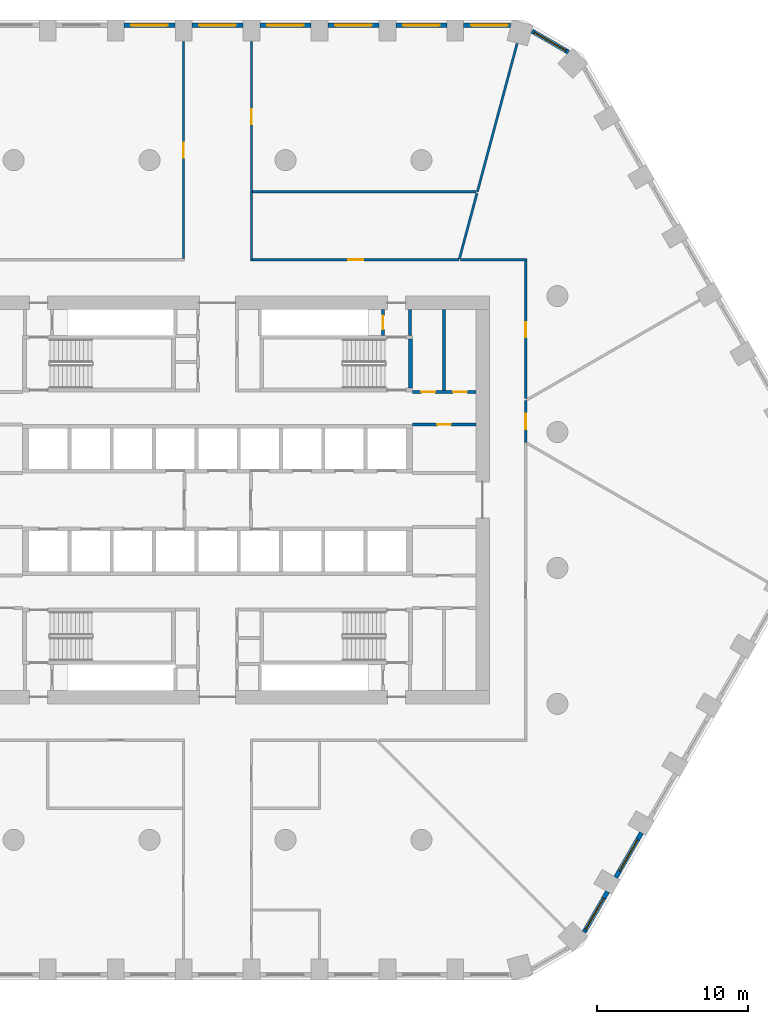
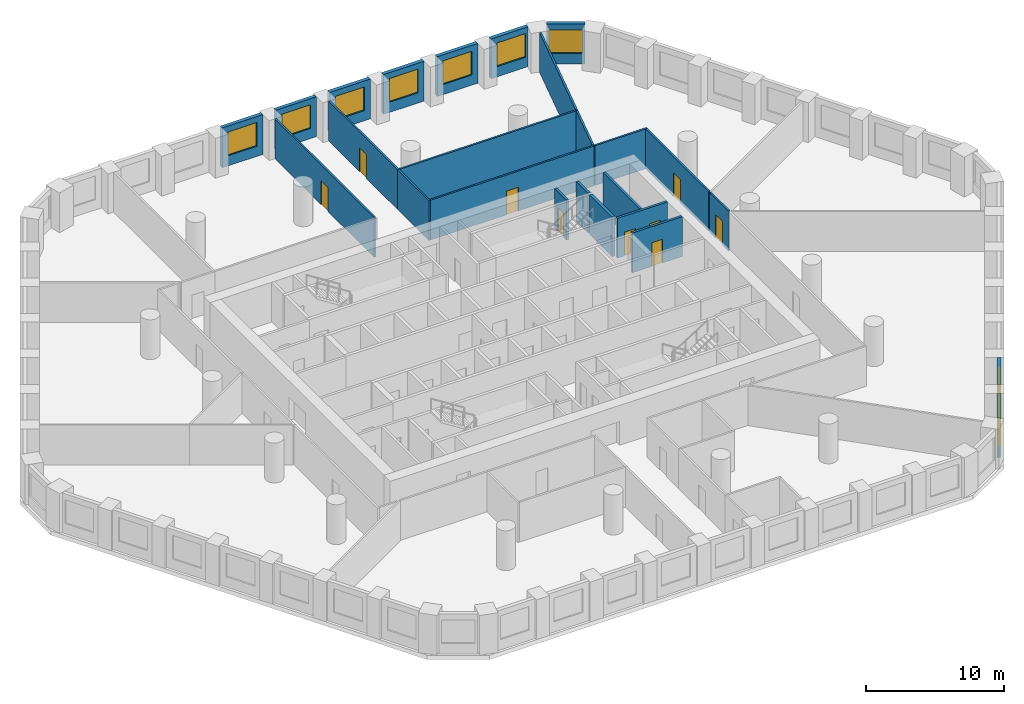
# One storey, part 7 of 10: 25 walls, 9 doors, 9 windows, 18 openings.
"""IFC4 building model written with IfcOpenShell, lengths in metres."""

from ifc_helpers import new_model, si_unit, direction, frame, frame_2d, origin, place, context, subcontext, project, spatial, rectangle, extrude, material, layer, layer_set, type_object, element, fill, save


model = new_model("IFC4")

# Units and contexts
model_context = context("Model", 3, precision=1e-05, world=origin(), true_north=direction((0.0, 1.0)))
body_context = subcontext(model_context, "Body", "Model", "MODEL_VIEW")
ifc_project = project(units=[si_unit("LENGTHUNIT", "METRE"), si_unit("AREAUNIT", "SQUARE_METRE"), si_unit("VOLUMEUNIT", "CUBIC_METRE"), si_unit("PLANEANGLEUNIT", "RADIAN"), si_unit("MASSUNIT", "GRAM", prefix="KILO")], contexts=[model_context])

# Site, building, storey
site_placement = place(None, origin())
site = spatial("IfcSite", under=ifc_project, at=site_placement, CompositionType="ELEMENT")
building_placement = place(site_placement, origin())
building = spatial("IfcBuilding", under=site, at=building_placement, Name="Dhurran Vertical Campus", CompositionType="ELEMENT")
storey_placement = place(building_placement, frame((0.0, 0.0, 41.699951171875)))
storey = spatial("IfcBuildingStorey", under=building, at=storey_placement, Name="L09", CompositionType="ELEMENT", Elevation=41.699951171875)

# Wall, opening, window
ifc_material_1 = material(Name="Precast concrete C50/60", Category="concrete")
ifc_layer_1 = layer(ifc_material_1, 0.300048828125)
ifc_layer_set_1 = layer_set([ifc_layer_1], Name="Precast concrete C50/60")
wall_type_1 = type_object("IfcWallType", Name="Precast spandrel wall 300", PredefinedType="SOLIDWALL", material=ifc_layer_set_1)
wall_1_placement = place(storey_placement, frame((24.2734375, -28.611083984375, 0.0), z_axis=(0.0, 0.0, 1.0), x_axis=(0.499995950774, 0.866027741594, 0.0)))
wall_1 = element("IfcWall", 1, at=wall_1_placement, inside=storey, type_object=wall_type_1, Name="EW1 L09.10", PredefinedType="SOLIDWALL", context=body_context, shape_type="SweptSolid", body=[
    extrude(rectangle(XDim=3.0908203125, YDim=0.300048828125, at=frame_2d((1.54541015625, 0.0))), origin(), (0.0, 0.0, 1.0), 3.525146484375),
])
opening_1_placement = place(wall_1_placement, frame((0.191162109375, 0.0, 0.89990234375)))
opening_1 = element("IfcOpeningElement", 2, at=opening_1_placement, cuts=wall_1, Name="Opening WT1", PredefinedType="OPENING", context=body_context, shape_type="SweptSolid", body=[
    extrude(rectangle(XDim=2.39990234375, YDim=2.10009765625, at=frame_2d((1.199951171875, 1.050048828125))), frame((0.0, 0.159912109375, 0.0), z_axis=(0.0, -1.0, 0.0), x_axis=(1.0, 0.0, 0.0)), (0.0, 0.0, 1.0), 0.320068359375),
])
ifc_material_2 = material(Name="Aluminium frame with solar-control glass", Category="aluminium")
window_type = type_object("IfcWindowType", Name="Punched window 2400 x 2100", PartitioningType="SINGLE_PANEL", PredefinedType="WINDOW", material=ifc_material_2)
window_1_placement = place(opening_1_placement, origin())
window_1 = element("IfcWindow", 3, at=window_1_placement, inside=storey, type_object=window_type, Name="WT1 L09.10", OverallHeight=2.10009765625, OverallWidth=2.39990234375, PartitioningType="SINGLE_PANEL", PredefinedType="WINDOW", context=body_context, shape_type="SweptSolid", body=[
    extrude(rectangle(XDim=2.39990234375, YDim=2.10009765625, at=frame_2d((1.199951171875, 1.050048828125))), frame((0.0, 0.030029296875, 0.0), z_axis=(0.0, -1.0, 0.0), x_axis=(1.0, 0.0, 0.0)), (0.0, 0.0, 1.0), 0.06005859375),
])
fill(opening_1, window_1)

wall_2_placement = place(storey_placement, frame((26.369384765625, -24.98095703125, 0.0), z_axis=(0.0, 0.0, 1.0), x_axis=(0.499993955907, 0.866028893315, 0.0)))
wall_2 = element("IfcWall", 4, at=wall_2_placement, inside=storey, type_object=wall_type_1, Name="EW1 L09.11", PredefinedType="SOLIDWALL", context=body_context, shape_type="SweptSolid", body=[
    extrude(rectangle(XDim=3.39892578125, YDim=0.300048828125, at=frame_2d((1.699462890625, 0.0))), origin(), (0.0, 0.0, 1.0), 3.525146484375),
])
opening_2_placement = place(wall_2_placement, frame((0.49951171875, 0.0, 0.89990234375)))
opening_2 = element("IfcOpeningElement", 5, at=opening_2_placement, cuts=wall_2, Name="Opening WT1", PredefinedType="OPENING", context=body_context, shape_type="SweptSolid", body=[
    extrude(rectangle(XDim=2.39990234375, YDim=2.10009765625, at=frame_2d((1.199951171875, 1.050048828125))), frame((0.0, 0.159912109375, 0.0), z_axis=(0.0, -1.0, 0.0), x_axis=(1.0, 0.0, 0.0)), (0.0, 0.0, 1.0), 0.320068359375),
])
window_2_placement = place(opening_2_placement, origin())
window_2 = element("IfcWindow", 6, at=window_2_placement, inside=storey, type_object=window_type, Name="WT1 L09.11", OverallHeight=2.10009765625, OverallWidth=2.39990234375, PartitioningType="SINGLE_PANEL", PredefinedType="WINDOW", context=body_context, shape_type="SweptSolid", body=[
    extrude(rectangle(XDim=2.39990234375, YDim=2.10009765625, at=frame_2d((1.199951171875, 1.050048828125))), frame((0.0, 0.030029296875, 0.0), z_axis=(0.0, -1.0, 0.0), x_axis=(1.0, 0.0, 0.0)), (0.0, 0.0, 1.0), 0.06005859375),
])
fill(opening_2, window_2)

wall_3_placement = place(storey_placement, frame((23.228271484375, 29.656005859375, 0.0), z_axis=(0.0, 0.0, 1.0), x_axis=(-0.866020456713, 0.500008568482, 0.0)))
wall_3 = element("IfcWall", 7, at=wall_3_placement, inside=storey, type_object=wall_type_1, Name="EW1 L09.25", PredefinedType="SOLIDWALL", context=body_context, shape_type="SweptSolid", body=[
    extrude(rectangle(XDim=2.7822265625, YDim=0.300048828125, at=frame_2d((1.39111328125, 0.0))), origin(), (0.0, 0.0, 1.0), 3.525146484375),
])
opening_3_placement = place(wall_3_placement, frame((0.191162109375, 0.0, 0.89990234375)))
opening_3 = element("IfcOpeningElement", 8, at=opening_3_placement, cuts=wall_3, Name="Opening WT1", PredefinedType="OPENING", context=body_context, shape_type="SweptSolid", body=[
    extrude(rectangle(XDim=2.39990234375, YDim=2.10009765625, at=frame_2d((1.199951171875, 1.050048828125))), frame((0.0, 0.159912109375, 0.0), z_axis=(0.0, -1.0, 0.0), x_axis=(1.0, 0.0, 0.0)), (0.0, 0.0, 1.0), 0.320068359375),
])
window_3_placement = place(opening_3_placement, origin())
window_3 = element("IfcWindow", 9, at=window_3_placement, inside=storey, type_object=window_type, Name="WT1 L09.25", OverallHeight=2.10009765625, OverallWidth=2.39990234375, PartitioningType="SINGLE_PANEL", PredefinedType="WINDOW", context=body_context, shape_type="SweptSolid", body=[
    extrude(rectangle(XDim=2.39990234375, YDim=2.10009765625, at=frame_2d((1.199951171875, 1.050048828125))), frame((0.0, 0.030029296875, 0.0), z_axis=(0.0, -1.0, 0.0), x_axis=(1.0, 0.0, 0.0)), (0.0, 0.0, 1.0), 0.06005859375),
])
fill(opening_3, window_3)

wall_4_placement = place(storey_placement, frame((19.39111328125, 31.4296875, 0.0), z_axis=(0.0, 0.0, 1.0), x_axis=(-1.0, 0.0, 0.0)))
wall_4 = element("IfcWall", 10, at=wall_4_placement, inside=storey, type_object=wall_type_1, Name="EW1 L09.26", PredefinedType="SOLIDWALL", context=body_context, shape_type="SweptSolid", body=[
    extrude(rectangle(XDim=3.090576171875, YDim=0.300048828125, at=frame_2d((1.54541015625, 0.0))), origin(), (0.0, 0.0, 1.0), 3.525146484375),
])
opening_4_placement = place(wall_4_placement, frame((0.191162109375, 0.0, 0.89990234375)))
opening_4 = element("IfcOpeningElement", 11, at=opening_4_placement, cuts=wall_4, Name="Opening WT1", PredefinedType="OPENING", context=body_context, shape_type="SweptSolid", body=[
    extrude(rectangle(XDim=2.39990234375, YDim=2.10009765625, at=frame_2d((1.199951171875, 1.050048828125))), frame((0.0, 0.159912109375, 0.0), z_axis=(0.0, -1.0, 0.0), x_axis=(1.0, 0.0, 0.0)), (0.0, 0.0, 1.0), 0.320068359375),
])
window_4_placement = place(opening_4_placement, origin())
window_4 = element("IfcWindow", 12, at=window_4_placement, inside=storey, type_object=window_type, Name="WT1 L09.26", OverallHeight=2.10009765625, OverallWidth=2.39990234375, PartitioningType="SINGLE_PANEL", PredefinedType="WINDOW", context=body_context, shape_type="SweptSolid", body=[
    extrude(rectangle(XDim=2.39990234375, YDim=2.10009765625, at=frame_2d((1.199951171875, 1.050048828125))), frame((0.0, 0.030029296875, 0.0), z_axis=(0.0, -1.0, 0.0), x_axis=(1.0, 0.0, 0.0)), (0.0, 0.0, 1.0), 0.06005859375),
])
fill(opening_4, window_4)

wall_5_placement = place(storey_placement, frame((15.199462890625, 31.4296875, 0.0), z_axis=(0.0, 0.0, 1.0), x_axis=(-1.0, 0.0, 0.0)))
wall_5 = element("IfcWall", 13, at=wall_5_placement, inside=storey, type_object=wall_type_1, Name="EW1 L09.27", PredefinedType="SOLIDWALL", context=body_context, shape_type="SweptSolid", body=[
    extrude(rectangle(XDim=3.39892578125, YDim=0.300048828125, at=frame_2d((1.699462890625, 0.0))), origin(), (0.0, 0.0, 1.0), 3.525146484375),
])
opening_5_placement = place(wall_5_placement, frame((0.49951171875, 0.0, 0.89990234375)))
opening_5 = element("IfcOpeningElement", 14, at=opening_5_placement, cuts=wall_5, Name="Opening WT1", PredefinedType="OPENING", context=body_context, shape_type="SweptSolid", body=[
    extrude(rectangle(XDim=2.39990234375, YDim=2.10009765625, at=frame_2d((1.199951171875, 1.050048828125))), frame((0.0, 0.159912109375, 0.0), z_axis=(0.0, -1.0, 0.0), x_axis=(1.0, 0.0, 0.0)), (0.0, 0.0, 1.0), 0.320068359375),
])
window_5_placement = place(opening_5_placement, origin())
window_5 = element("IfcWindow", 15, at=window_5_placement, inside=storey, type_object=window_type, Name="WT1 L09.27", OverallHeight=2.10009765625, OverallWidth=2.39990234375, PartitioningType="SINGLE_PANEL", PredefinedType="WINDOW", context=body_context, shape_type="SweptSolid", body=[
    extrude(rectangle(XDim=2.39990234375, YDim=2.10009765625, at=frame_2d((1.199951171875, 1.050048828125))), frame((0.0, 0.030029296875, 0.0), z_axis=(0.0, -1.0, 0.0), x_axis=(1.0, 0.0, 0.0)), (0.0, 0.0, 1.0), 0.06005859375),
])
fill(opening_5, window_5)

wall_6_placement = place(storey_placement, frame((10.699462890625, 31.4296875, 0.0), z_axis=(0.0, 0.0, 1.0), x_axis=(-1.0, 0.0, 0.0)))
wall_6 = element("IfcWall", 16, at=wall_6_placement, inside=storey, type_object=wall_type_1, Name="EW1 L09.28", PredefinedType="SOLIDWALL", context=body_context, shape_type="SweptSolid", body=[
    extrude(rectangle(XDim=3.39892578125, YDim=0.300048828125, at=frame_2d((1.699462890625, 0.0))), origin(), (0.0, 0.0, 1.0), 3.525146484375),
])
opening_6_placement = place(wall_6_placement, frame((0.49951171875, 0.0, 0.89990234375)))
opening_6 = element("IfcOpeningElement", 17, at=opening_6_placement, cuts=wall_6, Name="Opening WT1", PredefinedType="OPENING", context=body_context, shape_type="SweptSolid", body=[
    extrude(rectangle(XDim=2.39990234375, YDim=2.10009765625, at=frame_2d((1.199951171875, 1.050048828125))), frame((0.0, 0.159912109375, 0.0), z_axis=(0.0, -1.0, 0.0), x_axis=(1.0, 0.0, 0.0)), (0.0, 0.0, 1.0), 0.320068359375),
])
window_6_placement = place(opening_6_placement, origin())
window_6 = element("IfcWindow", 18, at=window_6_placement, inside=storey, type_object=window_type, Name="WT1 L09.28", OverallHeight=2.10009765625, OverallWidth=2.39990234375, PartitioningType="SINGLE_PANEL", PredefinedType="WINDOW", context=body_context, shape_type="SweptSolid", body=[
    extrude(rectangle(XDim=2.39990234375, YDim=2.10009765625, at=frame_2d((1.199951171875, 1.050048828125))), frame((0.0, 0.030029296875, 0.0), z_axis=(0.0, -1.0, 0.0), x_axis=(1.0, 0.0, 0.0)), (0.0, 0.0, 1.0), 0.06005859375),
])
fill(opening_6, window_6)

wall_7_placement = place(storey_placement, frame((6.199462890625, 31.4296875, 0.0), z_axis=(0.0, 0.0, 1.0), x_axis=(-1.0, 0.0, 0.0)))
wall_7 = element("IfcWall", 19, at=wall_7_placement, inside=storey, type_object=wall_type_1, Name="EW1 L09.29", PredefinedType="SOLIDWALL", context=body_context, shape_type="SweptSolid", body=[
    extrude(rectangle(XDim=3.39892578125, YDim=0.300048828125, at=frame_2d((1.699462890625, 0.0))), origin(), (0.0, 0.0, 1.0), 3.525146484375),
])
opening_7_placement = place(wall_7_placement, frame((0.49951171875, 0.0, 0.89990234375)))
opening_7 = element("IfcOpeningElement", 20, at=opening_7_placement, cuts=wall_7, Name="Opening WT1", PredefinedType="OPENING", context=body_context, shape_type="SweptSolid", body=[
    extrude(rectangle(XDim=2.39990234375, YDim=2.10009765625, at=frame_2d((1.199951171875, 1.050048828125))), frame((0.0, 0.159912109375, 0.0), z_axis=(0.0, -1.0, 0.0), x_axis=(1.0, 0.0, 0.0)), (0.0, 0.0, 1.0), 0.320068359375),
])
window_7_placement = place(opening_7_placement, origin())
window_7 = element("IfcWindow", 21, at=window_7_placement, inside=storey, type_object=window_type, Name="WT1 L09.29", OverallHeight=2.10009765625, OverallWidth=2.39990234375, PartitioningType="SINGLE_PANEL", PredefinedType="WINDOW", context=body_context, shape_type="SweptSolid", body=[
    extrude(rectangle(XDim=2.39990234375, YDim=2.10009765625, at=frame_2d((1.199951171875, 1.050048828125))), frame((0.0, 0.030029296875, 0.0), z_axis=(0.0, -1.0, 0.0), x_axis=(1.0, 0.0, 0.0)), (0.0, 0.0, 1.0), 0.06005859375),
])
fill(opening_7, window_7)

wall_8_placement = place(storey_placement, frame((1.699462890625, 31.4296875, 0.0), z_axis=(0.0, 0.0, 1.0), x_axis=(-1.0, 0.0, 0.0)))
wall_8 = element("IfcWall", 22, at=wall_8_placement, inside=storey, type_object=wall_type_1, Name="EW1 L09.30", PredefinedType="SOLIDWALL", context=body_context, shape_type="SweptSolid", body=[
    extrude(rectangle(XDim=3.39892578125, YDim=0.300048828125, at=frame_2d((1.699462890625, 0.0))), origin(), (0.0, 0.0, 1.0), 3.525146484375),
])
opening_8_placement = place(wall_8_placement, frame((0.49951171875, 0.0, 0.89990234375)))
opening_8 = element("IfcOpeningElement", 23, at=opening_8_placement, cuts=wall_8, Name="Opening WT1", PredefinedType="OPENING", context=body_context, shape_type="SweptSolid", body=[
    extrude(rectangle(XDim=2.39990234375, YDim=2.10009765625, at=frame_2d((1.199951171875, 1.050048828125))), frame((0.0, 0.159912109375, 0.0), z_axis=(0.0, -1.0, 0.0), x_axis=(1.0, 0.0, 0.0)), (0.0, 0.0, 1.0), 0.320068359375),
])
window_8_placement = place(opening_8_placement, origin())
window_8 = element("IfcWindow", 24, at=window_8_placement, inside=storey, type_object=window_type, Name="WT1 L09.30", OverallHeight=2.10009765625, OverallWidth=2.39990234375, PartitioningType="SINGLE_PANEL", PredefinedType="WINDOW", context=body_context, shape_type="SweptSolid", body=[
    extrude(rectangle(XDim=2.39990234375, YDim=2.10009765625, at=frame_2d((1.199951171875, 1.050048828125))), frame((0.0, 0.030029296875, 0.0), z_axis=(0.0, -1.0, 0.0), x_axis=(1.0, 0.0, 0.0)), (0.0, 0.0, 1.0), 0.06005859375),
])
fill(opening_8, window_8)

wall_9_placement = place(storey_placement, frame((-2.800537109375, 31.4296875, 0.0), z_axis=(0.0, 0.0, 1.0), x_axis=(-1.0, 0.0, 0.0)))
wall_9 = element("IfcWall", 25, at=wall_9_placement, inside=storey, type_object=wall_type_1, Name="EW1 L09.31", PredefinedType="SOLIDWALL", context=body_context, shape_type="SweptSolid", body=[
    extrude(rectangle(XDim=3.39892578125, YDim=0.300048828125, at=frame_2d((1.699462890625, 0.0))), origin(), (0.0, 0.0, 1.0), 3.525146484375),
])
opening_9_placement = place(wall_9_placement, frame((0.49951171875, 0.0, 0.89990234375)))
opening_9 = element("IfcOpeningElement", 26, at=opening_9_placement, cuts=wall_9, Name="Opening WT1", PredefinedType="OPENING", context=body_context, shape_type="SweptSolid", body=[
    extrude(rectangle(XDim=2.39990234375, YDim=2.10009765625, at=frame_2d((1.199951171875, 1.050048828125))), frame((0.0, 0.159912109375, 0.0), z_axis=(0.0, -1.0, 0.0), x_axis=(1.0, 0.0, 0.0)), (0.0, 0.0, 1.0), 0.320068359375),
])
window_9_placement = place(opening_9_placement, origin())
window_9 = element("IfcWindow", 27, at=window_9_placement, inside=storey, type_object=window_type, Name="WT1 L09.31", OverallHeight=2.10009765625, OverallWidth=2.39990234375, PartitioningType="SINGLE_PANEL", PredefinedType="WINDOW", context=body_context, shape_type="SweptSolid", body=[
    extrude(rectangle(XDim=2.39990234375, YDim=2.10009765625, at=frame_2d((1.199951171875, 1.050048828125))), frame((0.0, 0.030029296875, 0.0), z_axis=(0.0, -1.0, 0.0), x_axis=(1.0, 0.0, 0.0)), (0.0, 0.0, 1.0), 0.06005859375),
])
fill(opening_9, window_9)

# Wall
ifc_material_3 = material(Name="Fire-rated masonry blockwork", Category="masonry")
ifc_layer_2 = layer(ifc_material_3, 0.199951171875)
ifc_layer_set_2 = layer_set([ifc_layer_2], Name="Fire-rated masonry blockwork")
wall_type_2 = type_object("IfcWallType", Name="co-FIRE-PARTITION-200", PredefinedType="PARTITIONING", material=ifc_layer_set_2)
wall_10_placement = place(storey_placement, frame((12.75, 10.89990234375, 0.0), z_axis=(0.0, 0.0, 1.0), x_axis=(0.0, 1.0, 0.0)))
element("IfcWall", 28, at=wall_10_placement, inside=storey, type_object=wall_type_2, Name="Core partition pass-ST2-o L09", PredefinedType="PARTITIONING", context=body_context, shape_type="SweptSolid", body=[
    extrude(rectangle(XDim=1.7001953125, YDim=0.199951171875, at=frame_2d((0.85009765625, 0.0))), origin(), (0.0, 0.0, 1.0), 3.525146484375),
])

# Wall, opening, door
wall_11_placement = place(storey_placement, frame((10.949951171875, 10.89990234375, 0.0), z_axis=(0.0, 0.0, 1.0), x_axis=(0.0, 1.0, 0.0)))
wall_11 = element("IfcWall", 29, at=wall_11_placement, inside=storey, type_object=wall_type_2, Name="Core partition pass-ST2-i L09", PredefinedType="PARTITIONING", context=body_context, shape_type="SweptSolid", body=[
    extrude(rectangle(XDim=1.7001953125, YDim=0.199951171875, at=frame_2d((0.85009765625, 0.0))), origin(), (0.0, 0.0, 1.0), 3.525146484375),
])
opening_10_placement = place(wall_11_placement, frame((0.39990234375, 0.0, 0.0)))
opening_10 = element("IfcOpeningElement", 30, at=opening_10_placement, cuts=wall_11, Name="Opening T02-C11", PredefinedType="OPENING", context=body_context, shape_type="SweptSolid", body=[
    extrude(rectangle(XDim=0.89990234375, YDim=2.10009765625, at=frame_2d((0.449951171875, 1.050048828125))), frame((0.0, 0.10986328125, 0.0), z_axis=(0.0, -1.0, 0.0), x_axis=(1.0, 0.0, 0.0)), (0.0, 0.0, 1.0), 0.219970703125),
])
ifc_material_4 = material(Name="Fire-rated timber door set", Category="wood")
door_type_1 = type_object("IfcDoorType", Name="co-D-ROOM 900x2100", OperationType="SINGLE_SWING_LEFT", PredefinedType="DOOR", material=ifc_material_4)
door_1_placement = place(opening_10_placement, origin())
door_1 = element("IfcDoor", 31, at=door_1_placement, inside=storey, type_object=door_type_1, Name="Riser room door L09", OperationType="SINGLE_SWING_LEFT", OverallHeight=2.10009765625, OverallWidth=0.89990234375, PredefinedType="DOOR", context=body_context, shape_type="SweptSolid", body=[
    extrude(rectangle(XDim=0.89990234375, YDim=2.10009765625, at=frame_2d((0.449951171875, 1.050048828125))), frame((0.0, 0.02490234375, 0.0), z_axis=(0.0, -1.0, 0.0), x_axis=(1.0, 0.0, 0.0)), (0.0, 0.0, 1.0), 0.050048828125),
])
fill(opening_10, door_1)

# Wall
wall_12_placement = place(storey_placement, frame((15.0, 7.14990234375, 0.0), z_axis=(0.0, 0.0, 1.0), x_axis=(0.0, 1.0, 0.0)))
element("IfcWall", 32, at=wall_12_placement, inside=storey, type_object=wall_type_2, Name="Core partition en-NE-cut0 L09", PredefinedType="PARTITIONING", context=body_context, shape_type="SweptSolid", body=[
    extrude(rectangle(XDim=5.4501953125, YDim=0.199951171875, at=frame_2d((2.72509765625, 0.0))), origin(), (0.0, 0.0, 1.0), 3.525146484375),
])

# Wall, openings, doors
wall_13_placement = place(storey_placement, frame((12.89990234375, 7.14990234375, 0.0), z_axis=(0.0, 0.0, 1.0), x_axis=(1.0, 0.0, 0.0)))
wall_13 = element("IfcWall", 33, at=wall_13_placement, inside=storey, type_object=wall_type_2, Name="Core partition en-NE-w L09", PredefinedType="PARTITIONING", context=body_context, shape_type="SweptSolid", body=[
    extrude(rectangle(XDim=4.2001953125, YDim=0.199951171875, at=frame_2d((2.10009765625, 0.0))), origin(), (0.0, 0.0, 1.0), 3.525146484375),
])
opening_11_placement = place(wall_13_placement, frame((0.60009765625, 0.0, 0.0)))
opening_11 = element("IfcOpeningElement", 34, at=opening_11_placement, cuts=wall_13, Name="Opening T02-C16", PredefinedType="OPENING", context=body_context, shape_type="SweptSolid", body=[
    extrude(rectangle(XDim=0.89990234375, YDim=2.10009765625, at=frame_2d((0.449951171875, 1.050048828125))), frame((0.0, 0.10986328125, 0.0), z_axis=(0.0, -1.0, 0.0), x_axis=(1.0, 0.0, 0.0)), (0.0, 0.0, 1.0), 0.219970703125),
])
opening_12_placement = place(wall_13_placement, frame((2.699951171875, 0.0, 0.0)))
opening_12 = element("IfcOpeningElement", 35, at=opening_12_placement, cuts=wall_13, Name="Opening T02-C17", PredefinedType="OPENING", context=body_context, shape_type="SweptSolid", body=[
    extrude(rectangle(XDim=0.89990234375, YDim=2.10009765625, at=frame_2d((0.449951171875, 1.050048828125))), frame((0.0, 0.10986328125, 0.0), z_axis=(0.0, -1.0, 0.0), x_axis=(1.0, 0.0, 0.0)), (0.0, 0.0, 1.0), 0.219970703125),
])
door_2_placement = place(opening_11_placement, origin())
door_2 = element("IfcDoor", 36, at=door_2_placement, inside=storey, type_object=door_type_1, Name="Store door L09", OperationType="SINGLE_SWING_LEFT", OverallHeight=2.10009765625, OverallWidth=0.89990234375, PredefinedType="DOOR", context=body_context, shape_type="SweptSolid", body=[
    extrude(rectangle(XDim=0.89990234375, YDim=2.10009765625, at=frame_2d((0.449951171875, 1.050048828125))), frame((0.0, 0.02490234375, 0.0), z_axis=(0.0, -1.0, 0.0), x_axis=(1.0, 0.0, 0.0)), (0.0, 0.0, 1.0), 0.050048828125),
])
fill(opening_11, door_2)
door_3_placement = place(opening_12_placement, origin())
door_3 = element("IfcDoor", 37, at=door_3_placement, inside=storey, type_object=door_type_1, Name="Plant room door L09", OperationType="SINGLE_SWING_LEFT", OverallHeight=2.10009765625, OverallWidth=0.89990234375, PredefinedType="DOOR", context=body_context, shape_type="SweptSolid", body=[
    extrude(rectangle(XDim=0.89990234375, YDim=2.10009765625, at=frame_2d((0.449951171875, 1.050048828125))), frame((0.0, 0.02490234375, 0.0), z_axis=(0.0, -1.0, 0.0), x_axis=(1.0, 0.0, 0.0)), (0.0, 0.0, 1.0), 0.050048828125),
])
fill(opening_12, door_3)

# Wall, opening, door
wall_14_placement = place(storey_placement, frame((12.89990234375, 5.0, 0.0), z_axis=(0.0, 0.0, 1.0), x_axis=(1.0, 0.0, 0.0)))
wall_14 = element("IfcWall", 38, at=wall_14_placement, inside=storey, type_object=wall_type_2, Name="Core partition es-NE-w L09", PredefinedType="PARTITIONING", context=body_context, shape_type="SweptSolid", body=[
    extrude(rectangle(XDim=4.2001953125, YDim=0.199951171875, at=frame_2d((2.10009765625, 0.0))), origin(), (0.0, 0.0, 1.0), 3.525146484375),
])
opening_13_placement = place(wall_14_placement, frame((1.64990234375, 0.0, 0.0)))
opening_13 = element("IfcOpeningElement", 39, at=opening_13_placement, cuts=wall_14, Name="Opening T02-C18", PredefinedType="OPENING", context=body_context, shape_type="SweptSolid", body=[
    extrude(rectangle(XDim=0.89990234375, YDim=2.10009765625, at=frame_2d((0.449951171875, 1.050048828125))), frame((0.0, 0.10986328125, 0.0), z_axis=(0.0, -1.0, 0.0), x_axis=(1.0, 0.0, 0.0)), (0.0, 0.0, 1.0), 0.219970703125),
])
door_4_placement = place(opening_13_placement, origin())
door_4 = element("IfcDoor", 40, at=door_4_placement, inside=storey, type_object=door_type_1, Name="Cleaner's store door L09", OperationType="SINGLE_SWING_LEFT", OverallHeight=2.10009765625, OverallWidth=0.89990234375, PredefinedType="DOOR", context=body_context, shape_type="SweptSolid", body=[
    extrude(rectangle(XDim=0.89990234375, YDim=2.10009765625, at=frame_2d((0.449951171875, 1.050048828125))), frame((0.0, 0.02490234375, 0.0), z_axis=(0.0, -1.0, 0.0), x_axis=(1.0, 0.0, 0.0)), (0.0, 0.0, 1.0), 0.050048828125),
])
fill(opening_13, door_4)

# Wall
ifc_material_5 = material(Name="Concrete C40/50", Category="concrete")
ifc_layer_3 = layer(ifc_material_5, 0.25)
ifc_layer_set_3 = layer_set([ifc_layer_3], Name="Concrete C40/50")
wall_type_3 = type_object("IfcWallType", Name="co-STAIR-WALL-250", PredefinedType="SHEAR", material=ifc_layer_set_3)
wall_15_placement = place(storey_placement, frame((12.77490234375, 7.39990234375, 0.0), z_axis=(0.0, 0.0, 1.0), x_axis=(0.0, 1.0, 0.0)))
element("IfcWall", 41, at=wall_15_placement, inside=storey, type_object=wall_type_3, Name="Stair ST2 enclosure wall L09", PredefinedType="SHEAR", context=body_context, shape_type="SweptSolid", body=[
    extrude(rectangle(XDim=3.25, YDim=0.25, at=frame_2d((1.625, 0.0))), origin(), (0.0, 0.0, 1.0), 3.525146484375),
])

# Wall, opening, door
ifc_material_6 = material(Name="Gypsum board corridor wall on steel studs", Category="steel")
ifc_layer_4 = layer(ifc_material_6, 0.14990234375)
ifc_layer_set_4 = layer_set([ifc_layer_4], Name="Gypsum board corridor wall on steel studs")
wall_type_4 = type_object("IfcWallType", Name="fl-CW-150 corridor wall", PredefinedType="PARTITIONING", material=ifc_layer_set_4)
wall_16_placement = place(storey_placement, frame((-2.25, 15.97509765625, 0.0), z_axis=(0.0, 0.0, 1.0), x_axis=(0.0, 1.0, 0.0)))
wall_16 = element("IfcWall", 42, at=wall_16_placement, inside=storey, type_object=wall_type_4, Name="Partition 09-20", PredefinedType="PARTITIONING", context=body_context, shape_type="SweptSolid", body=[
    extrude(rectangle(XDim=14.384765625, YDim=0.14990234375, at=frame_2d((7.1923828125, 0.0))), origin(), (0.0, 0.0, 1.0), 3.525146484375),
])
opening_14_placement = place(wall_16_placement, frame((6.6923828125, 0.0, 0.0)))
opening_14 = element("IfcOpeningElement", 43, at=opening_14_placement, cuts=wall_16, Name="Opening T02.06", PredefinedType="OPENING", context=body_context, shape_type="SweptSolid", body=[
    extrude(rectangle(XDim=1.0, YDim=2.10009765625, at=frame_2d((0.5, 1.050048828125))), frame((0.0, 0.0849609375, 0.0), z_axis=(0.0, -1.0, 0.0), x_axis=(1.0, 0.0, 0.0)), (0.0, 0.0, 1.0), 0.169921875),
])
ifc_material_7 = material(Name="Solid-core timber door set, fire-rated", Category="wood")
door_type_2 = type_object("IfcDoorType", Name="fl-D-1000x2100", OperationType="SINGLE_SWING_LEFT", PredefinedType="DOOR", material=ifc_material_7)
door_5_placement = place(opening_14_placement, origin())
door_5 = element("IfcDoor", 44, at=door_5_placement, inside=storey, type_object=door_type_2, Name="Door 09.06", OperationType="SINGLE_SWING_RIGHT", OverallHeight=2.10009765625, OverallWidth=1.0, PredefinedType="DOOR", context=body_context, shape_type="SweptSolid", body=[
    extrude(rectangle(XDim=1.0, YDim=2.10009765625, at=frame_2d((0.5, 1.050048828125))), frame((0.0, 0.02490234375, 0.0), z_axis=(0.0, -1.0, 0.0), x_axis=(1.0, 0.0, 0.0)), (0.0, 0.0, 1.0), 0.050048828125),
])
fill(opening_14, door_5)

# Wall
wall_17_placement = place(storey_placement, frame((2.25, 20.39990234375, 0.0), z_axis=(0.0, 0.0, 1.0), x_axis=(0.0, -1.0, 0.0)))
element("IfcWall", 45, at=wall_17_placement, inside=storey, type_object=wall_type_4, Name="Partition 09-27", PredefinedType="PARTITIONING", context=body_context, shape_type="SweptSolid", body=[
    extrude(rectangle(XDim=4.574951171875, YDim=0.14990234375, at=frame_2d((2.28759765625, 0.0))), origin(), (0.0, 0.0, 1.0), 3.525146484375),
])

# Wall, opening, door
wall_18_placement = place(storey_placement, frame((15.9951171875, 15.89990234375, 0.0), z_axis=(0.0, 0.0, 1.0), x_axis=(-1.0, 0.0, 0.0)))
wall_18 = element("IfcWall", 46, at=wall_18_placement, inside=storey, type_object=wall_type_4, Name="Partition 09-28", PredefinedType="PARTITIONING", context=body_context, shape_type="SweptSolid", body=[
    extrude(rectangle(XDim=13.670166015625, YDim=0.14990234375, at=frame_2d((6.8349609375, 0.0))), origin(), (0.0, 0.0, 1.0), 3.525146484375),
])
opening_15_placement = place(wall_18_placement, frame((6.3349609375, 0.0, 0.0)))
opening_15 = element("IfcOpeningElement", 47, at=opening_15_placement, cuts=wall_18, Name="Opening T02.10", PredefinedType="OPENING", context=body_context, shape_type="SweptSolid", body=[
    extrude(rectangle(XDim=1.0, YDim=2.10009765625, at=frame_2d((0.5, 1.050048828125))), frame((0.0, 0.0849609375, 0.0), z_axis=(0.0, -1.0, 0.0), x_axis=(1.0, 0.0, 0.0)), (0.0, 0.0, 1.0), 0.169921875),
])
door_6_placement = place(opening_15_placement, origin())
door_6 = element("IfcDoor", 48, at=door_6_placement, inside=storey, type_object=door_type_2, Name="Door 09.10", OperationType="SINGLE_SWING_RIGHT", OverallHeight=2.10009765625, OverallWidth=1.0, PredefinedType="DOOR", context=body_context, shape_type="SweptSolid", body=[
    extrude(rectangle(XDim=1.0, YDim=2.10009765625, at=frame_2d((0.5, 1.050048828125))), frame((0.0, 0.02490234375, 0.0), z_axis=(0.0, -1.0, 0.0), x_axis=(1.0, 0.0, 0.0)), (0.0, 0.0, 1.0), 0.050048828125),
])
fill(opening_15, door_6)

wall_19_placement = place(storey_placement, frame((2.25, 30.35986328125, 0.0), z_axis=(0.0, 0.0, 1.0), x_axis=(0.0, -1.0, 0.0)))
wall_19 = element("IfcWall", 49, at=wall_19_placement, inside=storey, type_object=wall_type_4, Name="Partition 09-29", PredefinedType="PARTITIONING", context=body_context, shape_type="SweptSolid", body=[
    extrude(rectangle(XDim=9.9599609375, YDim=0.14990234375, at=frame_2d((4.97998046875, 0.0))), origin(), (0.0, 0.0, 1.0), 3.525146484375),
])
opening_16_placement = place(wall_19_placement, frame((4.47998046875, 0.0, 0.0)))
opening_16 = element("IfcOpeningElement", 50, at=opening_16_placement, cuts=wall_19, Name="Opening T02.11", PredefinedType="OPENING", context=body_context, shape_type="SweptSolid", body=[
    extrude(rectangle(XDim=1.0, YDim=2.10009765625, at=frame_2d((0.5, 1.050048828125))), frame((0.0, 0.0849609375, 0.0), z_axis=(0.0, -1.0, 0.0), x_axis=(1.0, 0.0, 0.0)), (0.0, 0.0, 1.0), 0.169921875),
])
door_7_placement = place(opening_16_placement, origin())
door_7 = element("IfcDoor", 51, at=door_7_placement, inside=storey, type_object=door_type_2, Name="Door 09.11", OperationType="SINGLE_SWING_RIGHT", OverallHeight=2.10009765625, OverallWidth=1.0, PredefinedType="DOOR", context=body_context, shape_type="SweptSolid", body=[
    extrude(rectangle(XDim=1.0, YDim=2.10009765625, at=frame_2d((0.5, 1.050048828125))), frame((0.0, 0.02490234375, 0.0), z_axis=(0.0, -1.0, 0.0), x_axis=(1.0, 0.0, 0.0)), (0.0, 0.0, 1.0), 0.050048828125),
])
fill(opening_16, door_7)

# Wall
wall_20_placement = place(storey_placement, frame((20.47509765625, 15.89990234375, 0.0), z_axis=(0.0, 0.0, 1.0), x_axis=(-1.0, 0.0, 0.0)))
element("IfcWall", 52, at=wall_20_placement, inside=storey, type_object=wall_type_4, Name="Partition 09-37", PredefinedType="PARTITIONING", context=body_context, shape_type="SweptSolid", body=[
    extrude(rectangle(XDim=4.385009765625, YDim=0.14990234375, at=frame_2d((2.1923828125, 0.0))), origin(), (0.0, 0.0, 1.0), 3.525146484375),
])

# Wall, opening, door
wall_21_placement = place(storey_placement, frame((20.39990234375, 3.81103515625, 0.0), z_axis=(0.0, 0.0, 1.0), x_axis=(0.0, 1.0, 0.0)))
wall_21 = element("IfcWall", 53, at=wall_21_placement, inside=storey, type_object=wall_type_4, Name="Partition 09-40", PredefinedType="PARTITIONING", context=body_context, shape_type="SweptSolid", body=[
    extrude(rectangle(XDim=2.77099609375, YDim=0.14990234375, at=frame_2d((1.385498046875, 0.0))), origin(), (0.0, 0.0, 1.0), 3.525146484375),
])
opening_17_placement = place(wall_21_placement, frame((0.885498046875, 0.0, 0.0)))
opening_17 = element("IfcOpeningElement", 54, at=opening_17_placement, cuts=wall_21, Name="Opening T02.15", PredefinedType="OPENING", context=body_context, shape_type="SweptSolid", body=[
    extrude(rectangle(XDim=1.0, YDim=2.10009765625, at=frame_2d((0.5, 1.050048828125))), frame((0.0, 0.0849609375, 0.0), z_axis=(0.0, -1.0, 0.0), x_axis=(1.0, 0.0, 0.0)), (0.0, 0.0, 1.0), 0.169921875),
])
door_8_placement = place(opening_17_placement, origin())
door_8 = element("IfcDoor", 55, at=door_8_placement, inside=storey, type_object=door_type_2, Name="Door 09.15", OperationType="SINGLE_SWING_RIGHT", OverallHeight=2.10009765625, OverallWidth=1.0, PredefinedType="DOOR", context=body_context, shape_type="SweptSolid", body=[
    extrude(rectangle(XDim=1.0, YDim=2.10009765625, at=frame_2d((0.5, 1.050048828125))), frame((0.0, 0.02490234375, 0.0), z_axis=(0.0, -1.0, 0.0), x_axis=(1.0, 0.0, 0.0)), (0.0, 0.0, 1.0), 0.050048828125),
])
fill(opening_17, door_8)

wall_22_placement = place(storey_placement, frame((20.39990234375, 6.7119140625, 0.0), z_axis=(0.0, 0.0, 1.0), x_axis=(0.0, 1.0, 0.0)))
wall_22 = element("IfcWall", 56, at=wall_22_placement, inside=storey, type_object=wall_type_4, Name="Partition 09-42", PredefinedType="PARTITIONING", context=body_context, shape_type="SweptSolid", body=[
    extrude(rectangle(XDim=9.113037109375, YDim=0.14990234375, at=frame_2d((4.556640625, 0.0))), origin(), (0.0, 0.0, 1.0), 3.525146484375),
])
opening_18_placement = place(wall_22_placement, frame((4.056396484375, 0.0, 0.0)))
opening_18 = element("IfcOpeningElement", 57, at=opening_18_placement, cuts=wall_22, Name="Opening T02.13", PredefinedType="OPENING", context=body_context, shape_type="SweptSolid", body=[
    extrude(rectangle(XDim=1.0, YDim=2.10009765625, at=frame_2d((0.5, 1.050048828125))), frame((0.0, 0.0849609375, 0.0), z_axis=(0.0, -1.0, 0.0), x_axis=(1.0, 0.0, 0.0)), (0.0, 0.0, 1.0), 0.169921875),
])
door_9_placement = place(opening_18_placement, origin())
door_9 = element("IfcDoor", 58, at=door_9_placement, inside=storey, type_object=door_type_2, Name="Door 09.13", OperationType="SINGLE_SWING_RIGHT", OverallHeight=2.10009765625, OverallWidth=1.0, PredefinedType="DOOR", context=body_context, shape_type="SweptSolid", body=[
    extrude(rectangle(XDim=1.0, YDim=2.10009765625, at=frame_2d((0.5, 1.050048828125))), frame((0.0, 0.02490234375, 0.0), z_axis=(0.0, -1.0, 0.0), x_axis=(1.0, 0.0, 0.0)), (0.0, 0.0, 1.0), 0.050048828125),
])
fill(opening_18, door_9)

# Walls
ifc_material_8 = material(Name="Gypsum board partition on steel studs", Category="steel")
ifc_layer_5 = layer(ifc_material_8, 0.14990234375)
ifc_layer_set_5 = layer_set([ifc_layer_5], Name="Gypsum board partition on steel studs")
wall_type_5 = type_object("IfcWallType", Name="fl-PW-150 fixed partition", PredefinedType="PARTITIONING", material=ifc_layer_set_5)
wall_23_placement = place(storey_placement, frame((2.324951171875, 20.39990234375, 0.0), z_axis=(0.0, 0.0, 1.0), x_axis=(1.0, 0.0, 0.0)))
element("IfcWall", 59, at=wall_23_placement, inside=storey, type_object=wall_type_5, Name="Partition 09-30", PredefinedType="PARTITIONING", context=body_context, shape_type="SweptSolid", body=[
    extrude(rectangle(XDim=14.801025390625, YDim=0.14990234375, at=frame_2d((7.400390625, 0.0))), origin(), (0.0, 0.0, 1.0), 3.525146484375),
])
wall_24_placement = place(storey_placement, frame((17.176513671875, 20.30810546875, 0.0), z_axis=(0.0, 0.0, 1.0), x_axis=(-0.258894670978, -0.965905559224, 0.0)))
element("IfcWall", 60, at=wall_24_placement, inside=storey, type_object=wall_type_5, Name="Partition 09-36", PredefinedType="PARTITIONING", context=body_context, shape_type="SweptSolid", body=[
    extrude(rectangle(XDim=4.48876953125, YDim=0.14990234375, at=frame_2d((2.244384765625, 0.0))), origin(), (0.0, 0.0, 1.0), 3.525146484375),
])
wall_25_placement = place(storey_placement, frame((19.834228515625, 30.22705078125, 0.0), z_axis=(0.0, 0.0, 1.0), x_axis=(-0.258830443669, -0.96592277198, 0.0)))
element("IfcWall", 61, at=wall_25_placement, inside=storey, type_object=wall_type_5, Name="Partition 09-38", PredefinedType="PARTITIONING", context=body_context, shape_type="SweptSolid", body=[
    extrude(rectangle(XDim=10.173828125, YDim=0.14990234375, at=frame_2d((5.0869140625, 0.0))), origin(), (0.0, 0.0, 1.0), 3.525146484375),
])

save(model, "model.ifc")
